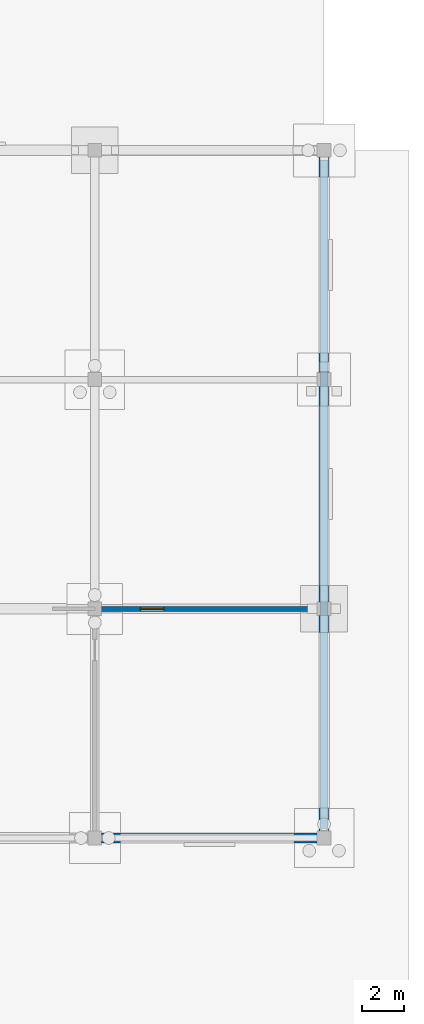
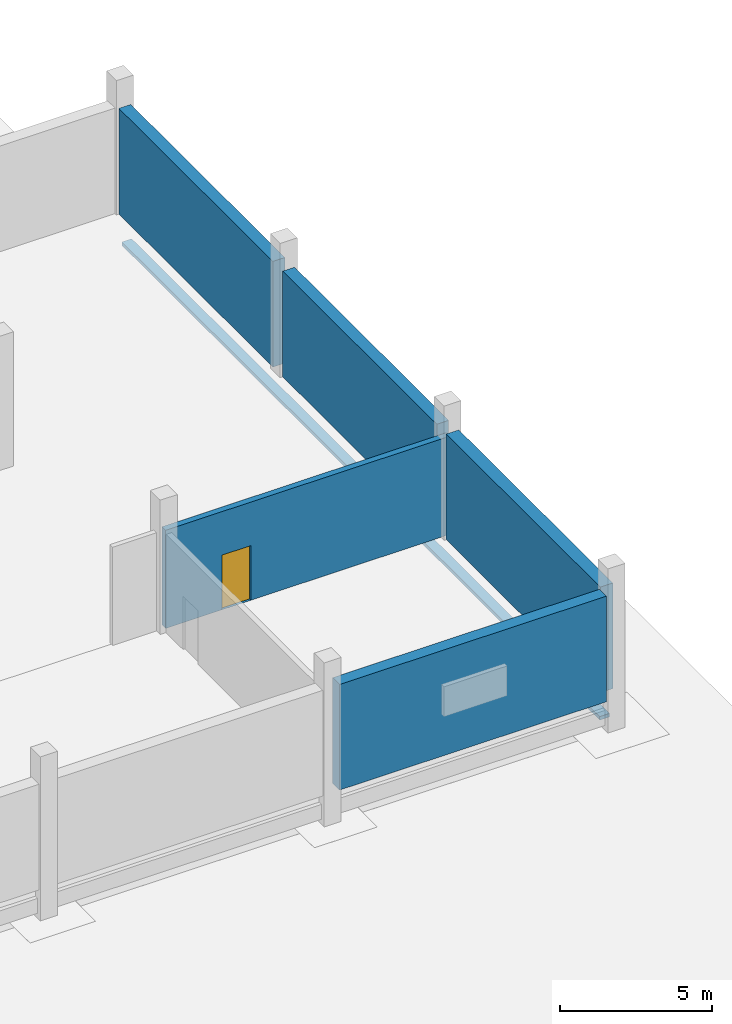
# One storey, part 115 of 138: 6 walls, 1 door, 1 opening.
"""IFC4 building model written with IfcOpenShell, lengths in metres."""

from ifc_helpers import new_model, si_unit, direction, frame, frame_2d, origin, place, context, subcontext, project, spatial, rectangle, extrude, material, layer, layer_set, type_object, element, fill, save


model = new_model("IFC4")

# Units and contexts
model_context = context("Model", 3, precision=1e-05, world=origin(), true_north=direction((0.0, 1.0)))
body_context = subcontext(model_context, "Body", "Model", "MODEL_VIEW")
ifc_project = project(units=[si_unit("LENGTHUNIT", "METRE"), si_unit("AREAUNIT", "SQUARE_METRE"), si_unit("VOLUMEUNIT", "CUBIC_METRE"), si_unit("PLANEANGLEUNIT", "RADIAN"), si_unit("MASSUNIT", "GRAM", prefix="KILO")], contexts=[model_context])

# Site, building, storey
site_placement = place(None, origin())
site = spatial("IfcSite", under=ifc_project, at=site_placement, CompositionType="ELEMENT")
building_placement = place(site_placement, origin())
building = spatial("IfcBuilding", under=site, at=building_placement, Name="Zwinboog Wholesale Market", CompositionType="ELEMENT")
storey_placement = place(building_placement, origin())
storey = spatial("IfcBuildingStorey", under=building, at=storey_placement, Name="L00", CompositionType="ELEMENT", Elevation=0.0)

# Walls
ifc_material_1 = material(Name="Precast concrete C45/55", Category="concrete")
ifc_layer_1 = layer(ifc_material_1, 0.455078125)
ifc_layer_set_1 = layer_set([ifc_layer_1], Name="Precast concrete C45/55")
wall_type_1 = type_object("IfcWallType", Name="WT-EW-455", PredefinedType="STANDARD", material=ifc_layer_set_1)
for number, where, z_axis, x_axis, name in (
    (1, (205.52001953125, 97.199951171875, 0.0), (0.0, 0.0, 1.0), (1.0, 0.0, 0.0), "EW-05 (WL-EW-L00-084)"),
    (2, (216.0, 108.320068359375, 0.0), (0.0, 0.0, 1.0), (0.0, 1.0, 0.0), "EW-05 (WL-EW-L00-086)"),
    (3, (216.0, 119.1201171875, 0.0), (0.0, 0.0, 1.0), (0.0, 1.0, 0.0), "EW-05 (WL-EW-L00-088)"),
):
    element("IfcWall", number, at=place(storey_placement, frame(where, z_axis=z_axis, x_axis=x_axis)), inside=storey, type_object=wall_type_1, Name=name, PredefinedType="STANDARD", context=body_context, shape_type="SweptSolid", body=[
        extrude(rectangle(XDim=10.159912109375, YDim=0.455078125, at=frame_2d((5.080078125, 0.0))), origin(), (0.0, 0.0, 1.0), 4.25),
    ])
ifc_layer_2 = layer(ifc_material_1, 0.47998046875)
ifc_layer_set_2 = layer_set([ifc_layer_2], Name="Precast concrete C45/55")
wall_type_2 = type_object("IfcWallType", Name="WT-EW-480", PredefinedType="STANDARD", material=ifc_layer_set_2)
wall_1_placement = place(storey_placement, frame((216.0, 97.52001953125, 0.0), z_axis=(0.0, 0.0, 1.0), x_axis=(0.0, 1.0, 0.0)))
element("IfcWall", 4, at=wall_1_placement, inside=storey, type_object=wall_type_2, Name="EW-06 (WL-EW-L00-085)", PredefinedType="STANDARD", context=body_context, shape_type="SweptSolid", body=[
    extrude(rectangle(XDim=10.159912109375, YDim=0.47998046875, at=frame_2d((5.080078125, 0.0))), origin(), (0.0, 0.0, 1.0), 4.25),
])
ifc_material_2 = material(Name="Concrete C40/50", Category="concrete")
ifc_layer_3 = layer(ifc_material_2, 0.3740234375)
ifc_layer_set_3 = layer_set([ifc_layer_3], Name="Concrete C40/50")
wall_type_3 = type_object("IfcWallType", Name="WT-RW-374", PredefinedType="USERDEFINED", material=ifc_layer_set_3)
wall_2_placement = place(storey_placement, frame((216.0, 97.64990234375, -1.199951171875), z_axis=(0.0, 0.0, 1.0), x_axis=(0.0, 1.0, 0.0)))
element("IfcWall", 5, at=wall_2_placement, inside=storey, type_object=wall_type_3, Name="RW-02 (WL-RET-05)", ObjectType="RETAININGWALL", PredefinedType="USERDEFINED", context=body_context, shape_type="SweptSolid", body=[
    extrude(rectangle(XDim=31.5, YDim=0.3740234375, at=frame_2d((15.75, 0.0))), origin(), (0.0, 0.0, 1.0), 0.139892578125),
])

# Wall, opening, door
ifc_layer_4 = layer(ifc_material_1, 0.235107421875)
ifc_layer_set_4 = layer_set([ifc_layer_4], Name="Precast concrete C45/55")
wall_type_4 = type_object("IfcWallType", Name="WT-IW-235", PredefinedType="PARTITIONING", material=ifc_layer_set_4)
wall_3_placement = place(storey_placement, frame((205.199951171875, 108.0, 0.0), z_axis=(0.0, 0.0, 1.0), x_axis=(1.0, 0.0, 0.0)))
wall_3 = element("IfcWall", 6, at=wall_3_placement, inside=storey, type_object=wall_type_4, Name="IW-03 (WL-IN-L00-0111)", PredefinedType="PARTITIONING", context=body_context, shape_type="SweptSolid", body=[
    extrude(rectangle(XDim=10.800048828125, YDim=0.235107421875, at=frame_2d((5.39990234375, 0.0))), origin(), (0.0, 0.0, 1.0), 3.949951171875),
])
opening_placement = place(wall_3_placement, frame((2.14990234375, 0.0, 0.0)))
opening = element("IfcOpeningElement", 7, at=opening_placement, cuts=wall_3, Name="Opening IDF-0042", PredefinedType="OPENING", context=body_context, shape_type="SweptSolid", body=[
    extrude(rectangle(XDim=1.10009765625, YDim=2.199951171875, at=frame_2d((0.550048828125, 1.10009765625))), frame((0.0, 0.12744140625, 0.0), z_axis=(0.0, -1.0, 0.0), x_axis=(1.0, 0.0, 0.0)), (0.0, 0.0, 1.0), 0.255126953125),
])
ifc_material_3 = material(Name="Timber and powder-coated steel door leaf", Category="steel")
door_type = type_object("IfcDoorType", Name="IDT-FD-02", OperationType="NOTDEFINED", PredefinedType="DOOR", material=ifc_material_3)
door_placement = place(opening_placement, frame((1.10009765625, 0.0, 0.0), z_axis=(0.0, 0.0, 1.0), x_axis=(-1.0, 0.0, 0.0)))
door = element("IfcDoor", 8, at=door_placement, inside=storey, type_object=door_type, Name="Interior Door IDF-0042", OperationType="SINGLE_SWING_LEFT", OverallHeight=2.199951171875, OverallWidth=1.10009765625, PredefinedType="DOOR", context=body_context, shape_type="SweptSolid", body=[
    extrude(rectangle(XDim=1.10009765625, YDim=2.199951171875, at=frame_2d((0.550048828125, 1.10009765625))), frame((0.0, 0.02490234375, 0.0), z_axis=(0.0, -1.0, 0.0), x_axis=(1.0, 0.0, 0.0)), (0.0, 0.0, 1.0), 0.050048828125),
])
fill(opening, door)

save(model, "model.ifc")
